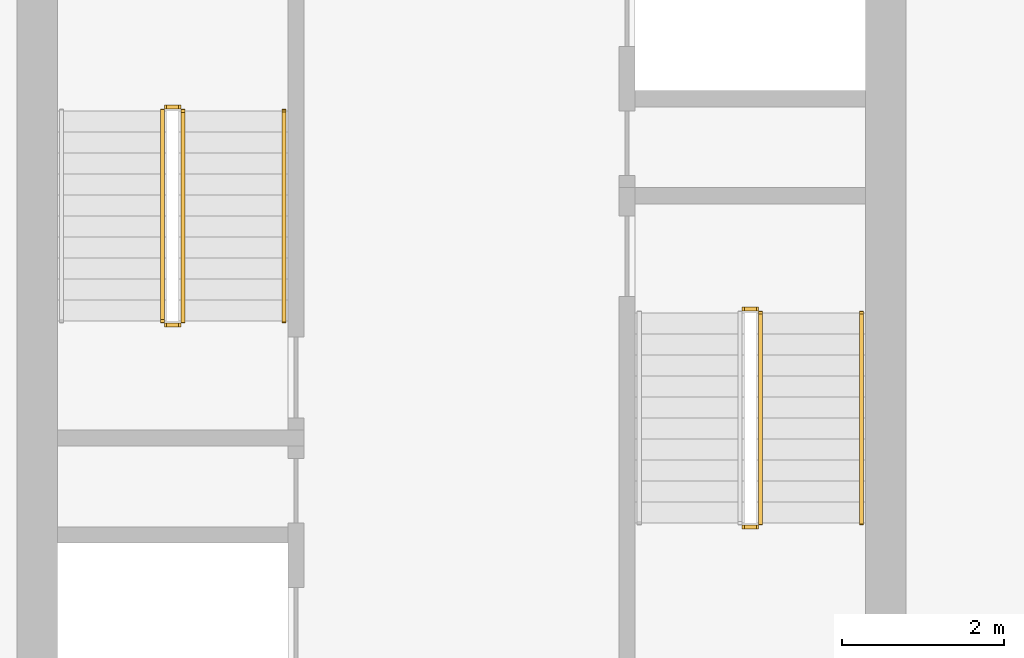
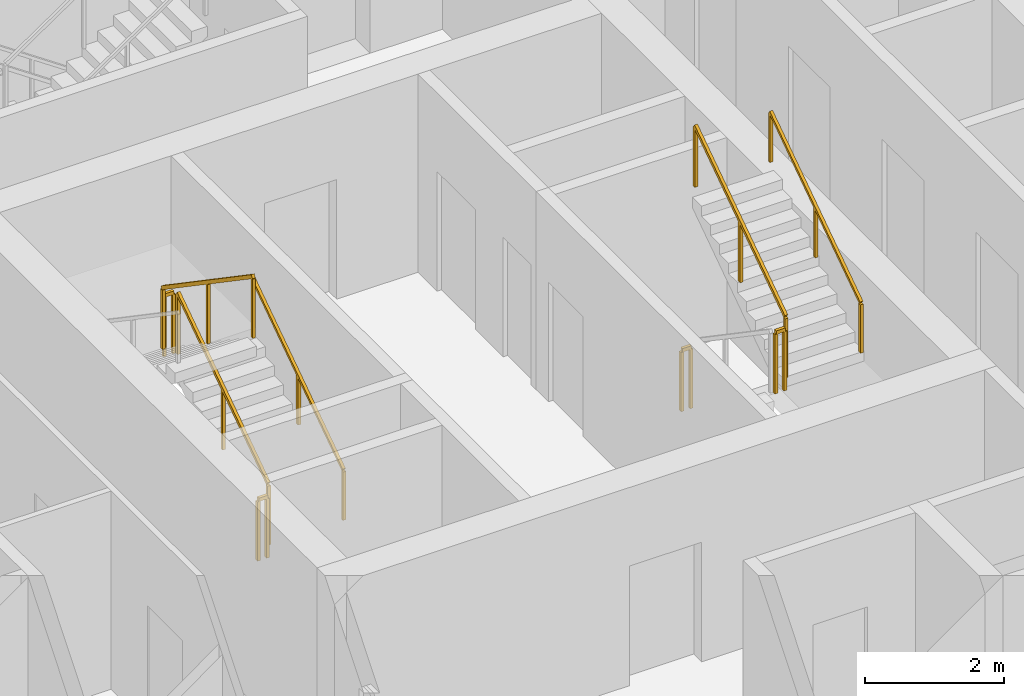
# One storey, part 13 of 16: 9 railings.
"""IFC4 building model written with IfcOpenShell, lengths in metres."""

from ifc_helpers import new_model, si_unit, direction, frame, origin, origin_2d, place, context, subcontext, project, spatial, rectangle, extrude, material, type_object, element, save


model = new_model("IFC4")

# Units and contexts
model_context = context("Model", 3, precision=1e-05, world=origin(), true_north=direction((0.0, 1.0)))
body_context = subcontext(model_context, "Body", "Model", "MODEL_VIEW")
ifc_project = project(units=[si_unit("LENGTHUNIT", "METRE"), si_unit("AREAUNIT", "SQUARE_METRE"), si_unit("VOLUMEUNIT", "CUBIC_METRE"), si_unit("PLANEANGLEUNIT", "RADIAN"), si_unit("MASSUNIT", "GRAM", prefix="KILO")], contexts=[model_context])

# Site, building, storey
site_placement = place(None, origin())
site = spatial("IfcSite", under=ifc_project, at=site_placement, CompositionType="ELEMENT")
building_placement = place(site_placement, origin())
building = spatial("IfcBuilding", under=site, at=building_placement, Name="Khepri Terraces", CompositionType="ELEMENT")
storey_placement = place(building_placement, frame((0.0, 0.0, 168.89990234375)))
storey = spatial("IfcBuildingStorey", under=building, at=storey_placement, Name="L40", CompositionType="ELEMENT", Elevation=168.89990234375)

# Railings
ifc_material = material(Name="Stainless steel 316", Category="steel")
railing_type_1 = type_object("IfcRailingType", Name="RL-CORE-GUARD", PredefinedType="GUARDRAIL", material=ifc_material)
railing_1_placement = place(storey_placement, frame((-3.449951171875, -0.050048828125, 0.177490234375)))
element("IfcRailing", 1, at=railing_1_placement, inside=storey, type_object=railing_type_1, Name="L40 ST-1 stair guard 1", PredefinedType="GUARDRAIL", context=body_context, shape_type="SweptSolid", body=[
    extrude(rectangle(XDim=0.050048828125, YDim=0.06005859375, at=origin_2d()), frame((0.0, 0.0, 1.070068359375), z_axis=(0.0, 0.826240473404, 0.563317565952), x_axis=(-1.0, 0.0, 0.0)), (0.0, 0.0, 1.0), 3.14697265625),
    extrude(rectangle(XDim=0.050048828125, YDim=0.050048828125, at=origin_2d()), origin(), (0.0, 0.0, 1.0), 1.0400390625),
    extrude(rectangle(XDim=0.050048828125, YDim=0.050048828125, at=origin_2d()), frame((0.0, 1.300048828125, 0.88623046875)), (0.0, 0.0, 1.0), 1.0400390625),
    extrude(rectangle(XDim=0.050048828125, YDim=0.050048828125, at=origin_2d()), frame((0.0, 2.60009765625, 1.772705078125)), (0.0, 0.0, 1.0), 1.0400390625),
])
railing_2_placement = place(storey_placement, frame((-3.5, 2.60009765625, 1.9501953125)))
element("IfcRailing", 2, at=railing_2_placement, inside=storey, type_object=railing_type_1, Name="L40 ST-1 stair guard 2", PredefinedType="GUARDRAIL", context=body_context, shape_type="SweptSolid", body=[
    extrude(rectangle(XDim=0.050048828125, YDim=0.06005859375, at=origin_2d()), frame((0.0, 0.0, 1.070068359375), z_axis=(-1.0, 0.0, 0.0), x_axis=(0.0, -1.0, 0.0)), (0.0, 0.0, 1.0), 0.14990234375),
    extrude(rectangle(XDim=0.050048828125, YDim=0.050048828125, at=origin_2d()), origin(), (0.0, 0.0, 1.0), 1.0400390625),
    extrude(rectangle(XDim=0.050048828125, YDim=0.050048828125, at=origin_2d()), frame((-0.14990234375, 0.0, 0.0)), (0.0, 0.0, 1.0), 1.0400390625),
])
railing_3_placement = place(storey_placement, frame((-3.699951171875, 2.550048828125, 2.12744140625)))
element("IfcRailing", 3, at=railing_3_placement, inside=storey, type_object=railing_type_1, Name="L40 ST-1 stair guard 3", PredefinedType="GUARDRAIL", context=body_context, shape_type="SweptSolid", body=[
    extrude(rectangle(XDim=0.050048828125, YDim=0.06005859375, at=origin_2d()), frame((0.0, 0.0, 1.070068359375), z_axis=(0.0, -0.826240473404, 0.563317565952), x_axis=(1.0, 0.0, 0.0)), (0.0, 0.0, 1.0), 3.14697265625),
    extrude(rectangle(XDim=0.050048828125, YDim=0.050048828125, at=origin_2d()), origin(), (0.0, 0.0, 1.0), 1.0400390625),
    extrude(rectangle(XDim=0.050048828125, YDim=0.050048828125, at=origin_2d()), frame((0.0, -1.300048828125, 0.88623046875)), (0.0, 0.0, 1.0), 1.0400390625),
    extrude(rectangle(XDim=0.050048828125, YDim=0.050048828125, at=origin_2d()), frame((0.0, -2.60009765625, 1.772705078125)), (0.0, 0.0, 1.0), 1.0400390625),
])
railing_4_placement = place(storey_placement, frame((-3.5, -0.10009765625, 0.0)))
element("IfcRailing", 4, at=railing_4_placement, inside=storey, type_object=railing_type_1, Name="L40 ST-1 stair guard 4", PredefinedType="GUARDRAIL", context=body_context, shape_type="SweptSolid", body=[
    extrude(rectangle(XDim=0.050048828125, YDim=0.06005859375, at=origin_2d()), frame((0.0, 0.0, 1.070068359375), z_axis=(-1.0, 0.0, 0.0), x_axis=(0.0, -1.0, 0.0)), (0.0, 0.0, 1.0), 0.14990234375),
    extrude(rectangle(XDim=0.050048828125, YDim=0.050048828125, at=origin_2d()), origin(), (0.0, 0.0, 1.0), 1.0400390625),
    extrude(rectangle(XDim=0.050048828125, YDim=0.050048828125, at=origin_2d()), frame((-0.14990234375, 0.0, 0.0)), (0.0, 0.0, 1.0), 1.0400390625),
])
railing_5_placement = place(storey_placement, frame((3.5, -2.60009765625, 1.9501953125)))
element("IfcRailing", 5, at=railing_5_placement, inside=storey, type_object=railing_type_1, Name="L40 ST-2 stair guard 2", PredefinedType="GUARDRAIL", context=body_context, shape_type="SweptSolid", body=[
    extrude(rectangle(XDim=0.050048828125, YDim=0.06005859375, at=origin_2d()), frame((0.0, 0.0, 1.070068359375), z_axis=(1.0, 0.0, 0.0), x_axis=(0.0, 1.0, 0.0)), (0.0, 0.0, 1.0), 0.14990234375),
    extrude(rectangle(XDim=0.050048828125, YDim=0.050048828125, at=origin_2d()), origin(), (0.0, 0.0, 1.0), 1.0400390625),
    extrude(rectangle(XDim=0.050048828125, YDim=0.050048828125, at=origin_2d()), frame((0.14990234375, 0.0, 0.0)), (0.0, 0.0, 1.0), 1.0400390625),
])
railing_6_placement = place(storey_placement, frame((3.699951171875, -2.550048828125, 2.12744140625)))
element("IfcRailing", 6, at=railing_6_placement, inside=storey, type_object=railing_type_1, Name="L40 ST-2 stair guard 3", PredefinedType="GUARDRAIL", context=body_context, shape_type="SweptSolid", body=[
    extrude(rectangle(XDim=0.050048828125, YDim=0.06005859375, at=origin_2d()), frame((0.0, 0.0, 1.070068359375), z_axis=(0.0, 0.826240473404, 0.563317565952), x_axis=(-1.0, 0.0, 0.0)), (0.0, 0.0, 1.0), 3.14697265625),
    extrude(rectangle(XDim=0.050048828125, YDim=0.050048828125, at=origin_2d()), origin(), (0.0, 0.0, 1.0), 1.0400390625),
    extrude(rectangle(XDim=0.050048828125, YDim=0.050048828125, at=origin_2d()), frame((0.0, 1.300048828125, 0.88623046875)), (0.0, 0.0, 1.0), 1.0400390625),
    extrude(rectangle(XDim=0.050048828125, YDim=0.050048828125, at=origin_2d()), frame((0.0, 2.60009765625, 1.772705078125)), (0.0, 0.0, 1.0), 1.0400390625),
])
railing_7_placement = place(storey_placement, frame((3.5, 0.10009765625, 0.0)))
element("IfcRailing", 7, at=railing_7_placement, inside=storey, type_object=railing_type_1, Name="L40 ST-2 stair guard 4", PredefinedType="GUARDRAIL", context=body_context, shape_type="SweptSolid", body=[
    extrude(rectangle(XDim=0.050048828125, YDim=0.06005859375, at=origin_2d()), frame((0.0, 0.0, 1.070068359375), z_axis=(1.0, 0.0, 0.0), x_axis=(0.0, 1.0, 0.0)), (0.0, 0.0, 1.0), 0.14990234375),
    extrude(rectangle(XDim=0.050048828125, YDim=0.050048828125, at=origin_2d()), origin(), (0.0, 0.0, 1.0), 1.0400390625),
    extrude(rectangle(XDim=0.050048828125, YDim=0.050048828125, at=origin_2d()), frame((0.14990234375, 0.0, 0.0)), (0.0, 0.0, 1.0), 1.0400390625),
])
railing_type_2 = type_object("IfcRailingType", Name="RL-CORE-HANDRAIL", PredefinedType="HANDRAIL", material=ifc_material)
for number, where, name in (
    (8, (-2.199951171875, -0.050048828125, 0.177490234375), "L40 ST-1 stair handrail 1"),
    (9, (4.949951171875, -2.550048828125, 2.12744140625), "L40 ST-2 stair handrail 2"),
):
    element("IfcRailing", number, at=place(storey_placement, frame(where)), inside=storey, type_object=railing_type_2, Name=name, PredefinedType="HANDRAIL", context=body_context, shape_type="SweptSolid", body=[
        extrude(rectangle(XDim=0.050048828125, YDim=0.050048828125, at=origin_2d()), frame((0.0, 0.0, 0.875), z_axis=(0.0, 0.826240473404, 0.563317565952), x_axis=(-1.0, 0.0, 0.0)), (0.0, 0.0, 1.0), 3.14697265625),
        extrude(rectangle(XDim=0.050048828125, YDim=0.050048828125, at=origin_2d()), origin(), (0.0, 0.0, 1.0), 0.849853515625),
        extrude(rectangle(XDim=0.050048828125, YDim=0.050048828125, at=origin_2d()), frame((0.0, 1.300048828125, 0.88623046875)), (0.0, 0.0, 1.0), 0.849853515625),
        extrude(rectangle(XDim=0.050048828125, YDim=0.050048828125, at=origin_2d()), frame((0.0, 2.60009765625, 1.772705078125)), (0.0, 0.0, 1.0), 0.849853515625),
    ])

save(model, "model.ifc")
